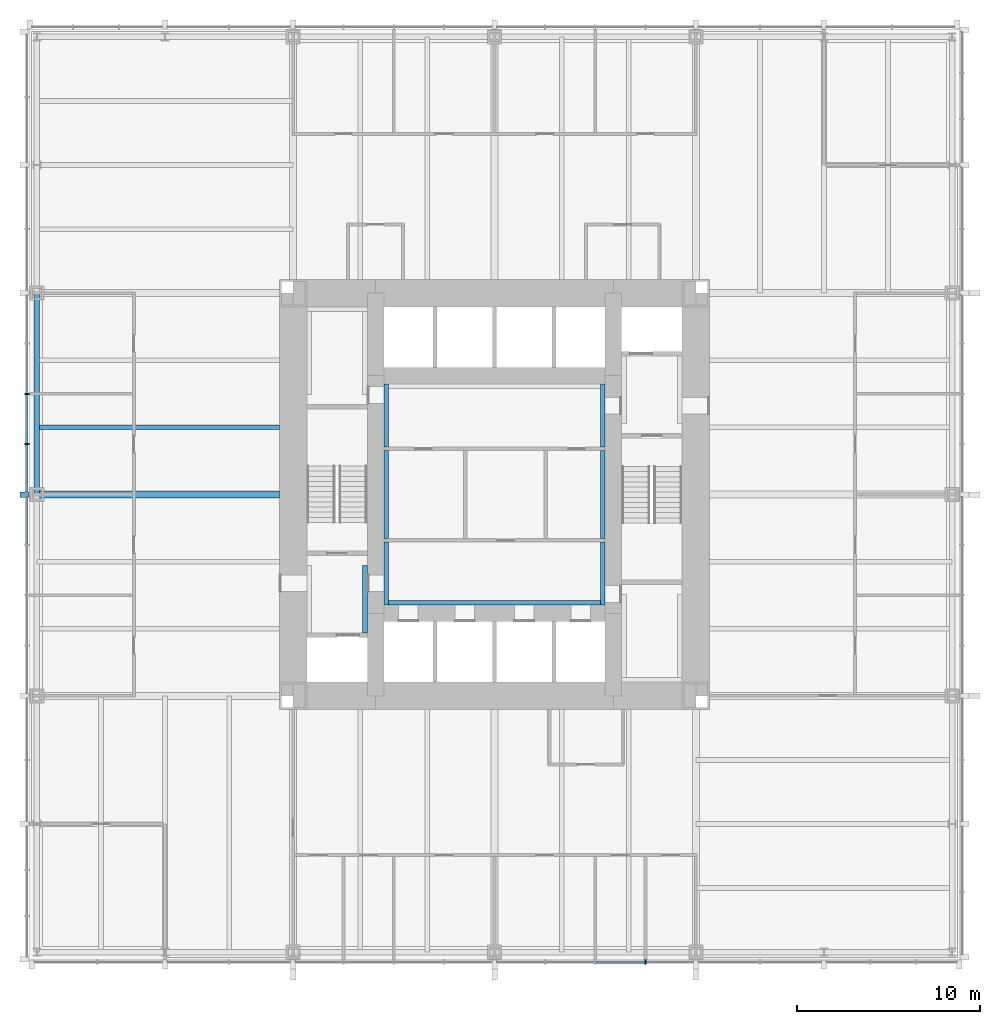
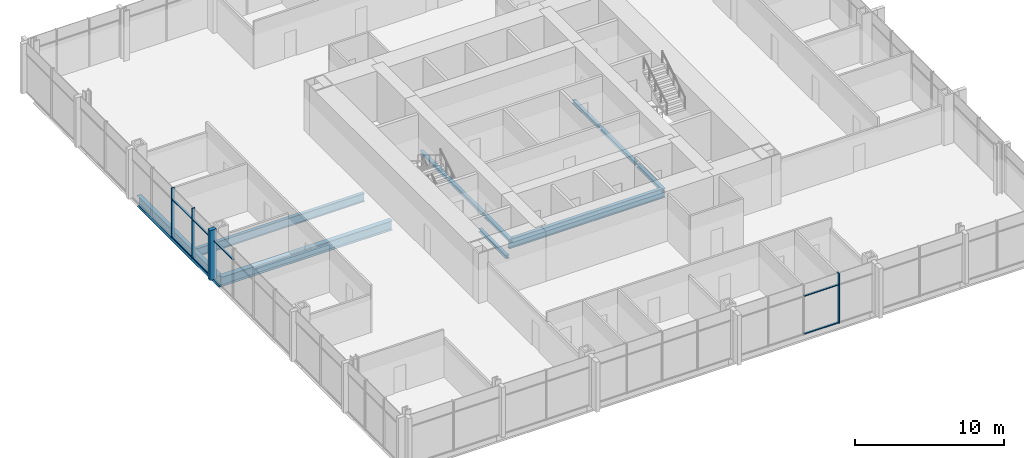
# One storey, part 3 of 12: 11 beams, 11 members, 2 elements without a shape of their own.
"""IFC4 building model written with IfcOpenShell, lengths in metres."""

from ifc_helpers import new_model, si_unit, direction, frame, origin, origin_2d, place, context, subcontext, project, spatial, rectangle, i_section, extrude, material, material_profile, profile_set, type_object, element, aggregate, save


model = new_model("IFC4")

# Units and contexts
model_context = context("Model", 3, precision=1e-05, world=origin(), true_north=direction((0.0, 1.0)))
body_context = subcontext(model_context, "Body", "Model", "MODEL_VIEW")
ifc_project = project(units=[si_unit("LENGTHUNIT", "METRE"), si_unit("AREAUNIT", "SQUARE_METRE"), si_unit("VOLUMEUNIT", "CUBIC_METRE"), si_unit("PLANEANGLEUNIT", "RADIAN"), si_unit("MASSUNIT", "GRAM", prefix="KILO")], contexts=[model_context])

# Site, building, storey
site_placement = place(None, origin())
site = spatial("IfcSite", under=ifc_project, at=site_placement, CompositionType="ELEMENT")
building_placement = place(site_placement, origin())
building = spatial("IfcBuilding", under=site, at=building_placement, Name="Trevanion Tower", CompositionType="ELEMENT")
storey_placement = place(building_placement, frame((0.0, 0.0, 69.300048828125)))
storey = spatial("IfcBuildingStorey", under=building, at=storey_placement, Name="L16", CompositionType="ELEMENT", Elevation=69.300048828125)

# Beam
ifc_material_1 = material(Name="Steel ASTM A992 Grade 50", Category="steel")
ifc_material_profile_1 = material_profile(ifc_material_1, i_section(OverallWidth=0.25390625, OverallDepth=0.700927734375, WebThickness=0.015380859375, FlangeThickness=0.02783203125, at=origin_2d()), Name="W27X129")
ifc_profile_set_1 = profile_set([ifc_material_profile_1], Name="Steel ASTM A992 Grade 50")
beam_type_1 = type_object("IfcBeamType", Name="B3 W27X129", PredefinedType="BEAM", material=ifc_profile_set_1)
beam_1_placement = place(storey_placement, frame((-11.75, 3.666748046875, -0.54052734375), z_axis=(-1.0, 0.0, 0.0), x_axis=(0.0, -1.0, 0.0)))
element("IfcBeam", 1, at=beam_1_placement, inside=storey, type_object=beam_type_1, Name="B3 L16", PredefinedType="BEAM", context=body_context, shape_type="SweptSolid", body=[
    extrude(i_section(OverallWidth=0.25390625, OverallDepth=0.700927734375, WebThickness=0.015380859375, FlangeThickness=0.02783203125, at=origin_2d()), origin(), (0.0, 0.0, 1.0), 13.25),
])

# Curtain wall, members
ifc_material_2 = material(Name="Aluminium and glass", Category="aluminium")
curtain_wall_type = type_object("IfcCurtainWallType", Name="CW1 curtain wall", PredefinedType="USERDEFINED", material=ifc_material_2)
curtain_wall_1_placement = place(storey_placement, origin())
curtain_wall_1 = element("IfcCurtainWall", 2, at=curtain_wall_1_placement, inside=storey, type_object=curtain_wall_type, Name="CW1 L16 2", ObjectType="UNITISED CURTAIN WALL", PredefinedType="USERDEFINED")
ifc_material_3 = material(Name="Aluminium extrusion, anodised bronze", Category="aluminium")
ifc_material_profile_2 = material_profile(ifc_material_3, rectangle(XDim=0.074951171875, YDim=0.25, at=origin_2d()), Name="CW1 mullion")
ifc_profile_set_2 = profile_set([ifc_material_profile_2], Name="Aluminium extrusion, anodised bronze")
member_type_1 = type_object("IfcMemberType", Name="CW1 mullion", PredefinedType="MULLION", material=ifc_profile_set_2)
member_1_placement = place(storey_placement, frame((-25.550048828125, 5.5, -0.18994140625), z_axis=(0.0, 0.0, 1.0), x_axis=(0.0, -1.0, 0.0)))
member_1 = element("IfcMember", 3, at=member_1_placement, type_object=member_type_1, Name="CW1 mullion 7", PredefinedType="MULLION", context=body_context, shape_type="SweptSolid", body=[
    extrude(rectangle(XDim=0.074951171875, YDim=0.25, at=origin_2d()), origin(), (0.0, 0.0, 1.0), 4.099853515625),
])
member_2_placement = place(storey_placement, frame((-25.550048828125, 2.75, -0.18994140625), z_axis=(0.0, 0.0, 1.0), x_axis=(0.0, -1.0, 0.0)))
member_2 = element("IfcMember", 4, at=member_2_placement, type_object=member_type_1, Name="CW1 mullion 8", PredefinedType="MULLION", context=body_context, shape_type="SweptSolid", body=[
    extrude(rectangle(XDim=0.074951171875, YDim=0.25, at=origin_2d()), origin(), (0.0, 0.0, 1.0), 4.099853515625),
])

# Curtain wall, member
curtain_wall_2_placement = place(storey_placement, origin())
curtain_wall_2 = element("IfcCurtainWall", 5, at=curtain_wall_2_placement, inside=storey, type_object=curtain_wall_type, Name="CW1 L16 3", ObjectType="UNITISED CURTAIN WALL", PredefinedType="USERDEFINED")
member_3_placement = place(storey_placement, frame((8.25, -25.550048828125, -0.18994140625), z_axis=(0.0, 0.0, 1.0), x_axis=(1.0, 0.0, 0.0)))
member_3 = element("IfcMember", 6, at=member_3_placement, type_object=member_type_1, Name="CW1 mullion 12", PredefinedType="MULLION", context=body_context, shape_type="SweptSolid", body=[
    extrude(rectangle(XDim=0.074951171875, YDim=0.25, at=origin_2d()), origin(), (0.0, 0.0, 1.0), 4.099853515625),
])

# Member
ifc_material_4 = material(Name="Aluminium extrusion, anodised bronze", Category="aluminium")
ifc_material_profile_3 = material_profile(ifc_material_4, rectangle(XDim=0.300048828125, YDim=0.5, at=origin_2d()), Name="CW1 pier mullion")
ifc_profile_set_3 = profile_set([ifc_material_profile_3], Name="Aluminium extrusion, anodised bronze")
member_type_2 = type_object("IfcMemberType", Name="CW1 pier mullion", PredefinedType="MULLION", material=ifc_profile_set_3)
member_4_placement = place(storey_placement, frame((-25.675048828125, 0.0, -0.18994140625), z_axis=(0.0, 0.0, 1.0), x_axis=(0.0, -1.0, 0.0)))
member_4 = element("IfcMember", 7, at=member_4_placement, type_object=member_type_2, Name="CW1 pier mullion 9", PredefinedType="MULLION", context=body_context, shape_type="SweptSolid", body=[
    extrude(rectangle(XDim=0.300048828125, YDim=0.5, at=origin_2d()), origin(), (0.0, 0.0, 1.0), 4.099853515625),
])

ifc_material_5 = material(Name="Aluminium extrusion, anodised bronze", Category="aluminium")
ifc_material_profile_4 = material_profile(ifc_material_5, rectangle(XDim=0.14990234375, YDim=0.074951171875, at=origin_2d()), Name="CW1 transom")
ifc_profile_set_4 = profile_set([ifc_material_profile_4], Name="Aluminium extrusion, anodised bronze")
member_type_3 = type_object("IfcMemberType", Name="CW1 transom", PredefinedType="USERDEFINED", material=ifc_profile_set_4)
member_5_placement = place(storey_placement, frame((-25.550048828125, 5.46240234375, -0.152587890625), z_axis=(0.0, -1.0, 0.0), x_axis=(1.0, 0.0, 0.0)))
member_5 = element("IfcMember", 8, at=member_5_placement, type_object=member_type_3, Name="CW1 transom 7.1", ObjectType="TRANSOM", PredefinedType="USERDEFINED", context=body_context, shape_type="SweptSolid", body=[
    extrude(rectangle(XDim=0.14990234375, YDim=0.074951171875, at=origin_2d()), origin(), (0.0, 0.0, 1.0), 2.6748046875),
])

member_6_placement = place(storey_placement, frame((-25.550048828125, 5.46240234375, 2.9599609375), z_axis=(0.0, -1.0, 0.0), x_axis=(1.0, 0.0, 0.0)))
member_6 = element("IfcMember", 9, at=member_6_placement, type_object=member_type_3, Name="CW1 transom 7.2", ObjectType="TRANSOM", PredefinedType="USERDEFINED", context=body_context, shape_type="SweptSolid", body=[
    extrude(rectangle(XDim=0.14990234375, YDim=0.074951171875, at=origin_2d()), origin(), (0.0, 0.0, 1.0), 2.6748046875),
])

member_7_placement = place(storey_placement, frame((-25.550048828125, 2.71240234375, -0.152587890625), z_axis=(0.0, -1.0, 0.0), x_axis=(1.0, 0.0, 0.0)))
member_7 = element("IfcMember", 10, at=member_7_placement, type_object=member_type_3, Name="CW1 transom 8.1", ObjectType="TRANSOM", PredefinedType="USERDEFINED", context=body_context, shape_type="SweptSolid", body=[
    extrude(rectangle(XDim=0.14990234375, YDim=0.074951171875, at=origin_2d()), origin(), (0.0, 0.0, 1.0), 2.5625),
])

member_8_placement = place(storey_placement, frame((-25.550048828125, 2.71240234375, 2.9599609375), z_axis=(0.0, -1.0, 0.0), x_axis=(1.0, 0.0, 0.0)))
member_8 = element("IfcMember", 11, at=member_8_placement, type_object=member_type_3, Name="CW1 transom 8.2", ObjectType="TRANSOM", PredefinedType="USERDEFINED", context=body_context, shape_type="SweptSolid", body=[
    extrude(rectangle(XDim=0.14990234375, YDim=0.074951171875, at=origin_2d()), origin(), (0.0, 0.0, 1.0), 2.5625),
])

member_9_placement = place(storey_placement, frame((-25.550048828125, -0.14990234375, 2.9599609375), z_axis=(0.0, -1.0, 0.0), x_axis=(1.0, 0.0, 0.0)))
member_9 = element("IfcMember", 12, at=member_9_placement, type_object=member_type_3, Name="CW1 transom 9.2", ObjectType="TRANSOM", PredefinedType="USERDEFINED", context=body_context, shape_type="SweptSolid", body=[
    extrude(rectangle(XDim=0.14990234375, YDim=0.074951171875, at=origin_2d()), origin(), (0.0, 0.0, 1.0), 2.5625),
])

aggregate(curtain_wall_1, [member_1, member_2, member_4, member_5, member_6, member_7, member_8, member_9])

member_10_placement = place(storey_placement, frame((5.53759765625, -25.550048828125, -0.152587890625), z_axis=(1.0, 0.0, 0.0), x_axis=(0.0, 1.0, 0.0)))
member_10 = element("IfcMember", 13, at=member_10_placement, type_object=member_type_3, Name="CW1 transom 11.1", ObjectType="TRANSOM", PredefinedType="USERDEFINED", context=body_context, shape_type="SweptSolid", body=[
    extrude(rectangle(XDim=0.14990234375, YDim=0.074951171875, at=origin_2d()), origin(), (0.0, 0.0, 1.0), 2.6748046875),
])

member_11_placement = place(storey_placement, frame((5.53759765625, -25.550048828125, 2.9599609375), z_axis=(1.0, 0.0, 0.0), x_axis=(0.0, 1.0, 0.0)))
member_11 = element("IfcMember", 14, at=member_11_placement, type_object=member_type_3, Name="CW1 transom 11.2", ObjectType="TRANSOM", PredefinedType="USERDEFINED", context=body_context, shape_type="SweptSolid", body=[
    extrude(rectangle(XDim=0.14990234375, YDim=0.074951171875, at=origin_2d()), origin(), (0.0, 0.0, 1.0), 2.6748046875),
])

aggregate(curtain_wall_2, [member_3, member_10, member_11])

# Beams
ifc_material_6 = material(Name="Steel ASTM A992 Grade 50", Category="steel")
ifc_material_profile_5 = material_profile(ifc_material_6, i_section(OverallWidth=0.381103515625, OverallDepth=0.77978515625, WebThickness=0.01806640625, FlangeThickness=0.0302734375, at=origin_2d()), Name="W30X191")
ifc_profile_set_5 = profile_set([ifc_material_profile_5], Name="Steel ASTM A992 Grade 50")
beam_type_2 = type_object("IfcBeamType", Name="G2 W30X191", PredefinedType="BEAM", material=ifc_profile_set_5)
beam_2_placement = place(storey_placement, frame((-11.75, 0.0, -0.579833984375), z_axis=(-1.0, 0.0, 0.0), x_axis=(0.0, -1.0, 0.0)))
element("IfcBeam", 15, at=beam_2_placement, inside=storey, type_object=beam_type_2, Name="G2 L16", PredefinedType="BEAM", context=body_context, shape_type="SweptSolid", body=[
    extrude(i_section(OverallWidth=0.381103515625, OverallDepth=0.77978515625, WebThickness=0.01806640625, FlangeThickness=0.0302734375, at=origin_2d()), origin(), (0.0, 0.0, 1.0), 13.25),
])
ifc_material_7 = material(Name="Steel ASTM A992 Grade 50", Category="steel")
ifc_material_profile_6 = material_profile(ifc_material_7, i_section(OverallWidth=0.256591796875, OverallDepth=0.26416015625, WebThickness=0.011962890625, FlangeThickness=0.01953125, at=origin_2d()), Name="W10X68")
ifc_profile_set_6 = profile_set([ifc_material_profile_6], Name="Steel ASTM A992 Grade 50")
beam_type_3 = type_object("IfcBeamType", Name="LB1 W10X68", PredefinedType="BEAM", material=ifc_profile_set_6)
for number, where, z_axis, x_axis, name in (
    (16, (-5.921630859375, 2.60009765625, -0.33203125), (0.0, 1.0, 0.0), (-1.0, 0.0, 0.0), "LB1 L16"),
    (17, (5.921630859375, 2.60009765625, -0.33203125), (0.0, 1.0, 0.0), (-1.0, 0.0, 0.0), "LB1 L16"),
    (18, (-5.921630859375, -6.050048828125, -0.33203125), (0.0, 1.0, 0.0), (-1.0, 0.0, 0.0), "LB1 L16"),
    (19, (5.921630859375, -6.050048828125, -0.33203125), (0.0, 1.0, 0.0), (-1.0, 0.0, 0.0), "LB1 L16"),
):
    element("IfcBeam", number, at=place(storey_placement, frame(where, z_axis=z_axis, x_axis=x_axis)), inside=storey, type_object=beam_type_3, Name=name, PredefinedType="BEAM", context=body_context, shape_type="SweptSolid", body=[
        extrude(i_section(OverallWidth=0.256591796875, OverallDepth=0.26416015625, WebThickness=0.011962890625, FlangeThickness=0.01953125, at=origin_2d()), origin(), (0.0, 0.0, 1.0), 3.449951171875),
    ])
beam_3_placement = place(storey_placement, frame((-7.078369140625, -7.574951171875, -0.33203125), z_axis=(0.0, 1.0, 0.0), x_axis=(-1.0, 0.0, 0.0)))
element("IfcBeam", 20, at=beam_3_placement, inside=storey, type_object=beam_type_3, Name="LB1 L16", PredefinedType="BEAM", context=body_context, shape_type="SweptSolid", body=[
    extrude(i_section(OverallWidth=0.256591796875, OverallDepth=0.26416015625, WebThickness=0.011962890625, FlangeThickness=0.01953125, at=origin_2d()), origin(), (0.0, 0.0, 1.0), 3.699951171875),
])
for number, where, z_axis, x_axis, name in (
    (21, (-5.921630859375, -2.39990234375, -0.33203125), (0.0, 1.0, 0.0), (-1.0, 0.0, 0.0), "LB1 L16"),
    (22, (5.921630859375, -2.39990234375, -0.33203125), (0.0, 1.0, 0.0), (-1.0, 0.0, 0.0), "LB1 L16"),
):
    element("IfcBeam", number, at=place(storey_placement, frame(where, z_axis=z_axis, x_axis=x_axis)), inside=storey, type_object=beam_type_3, Name=name, PredefinedType="BEAM", context=body_context, shape_type="SweptSolid", body=[
        extrude(i_section(OverallWidth=0.256591796875, OverallDepth=0.26416015625, WebThickness=0.011962890625, FlangeThickness=0.01953125, at=origin_2d()), origin(), (0.0, 0.0, 1.0), 4.7998046875),
    ])
ifc_material_8 = material(Name="Steel ASTM A992 Grade 50", Category="steel")
ifc_material_profile_7 = material_profile(ifc_material_8, i_section(OverallWidth=0.2666015625, OverallDepth=0.76953125, WebThickness=0.015625, FlangeThickness=0.025390625, at=origin_2d()), Name="W30X132")
ifc_profile_set_7 = profile_set([ifc_material_profile_7], Name="Steel ASTM A992 Grade 50")
beam_type_4 = type_object("IfcBeamType", Name="LB3 W30X132", PredefinedType="BEAM", material=ifc_profile_set_7)
beam_4_placement = place(storey_placement, frame((-6.050048828125, -5.91650390625, -0.5849609375), z_axis=(1.0, 0.0, 0.0), x_axis=(0.0, 1.0, 0.0)))
element("IfcBeam", 23, at=beam_4_placement, inside=storey, type_object=beam_type_4, Name="LB3 L16", PredefinedType="BEAM", context=body_context, shape_type="SweptSolid", body=[
    extrude(i_section(OverallWidth=0.2666015625, OverallDepth=0.76953125, WebThickness=0.015625, FlangeThickness=0.025390625, at=origin_2d()), origin(), (0.0, 0.0, 1.0), 12.10009765625),
])
ifc_material_9 = material(Name="Steel ASTM A992 Grade 50", Category="steel")
ifc_material_profile_8 = material_profile(ifc_material_9, i_section(OverallWidth=0.307373046875, OverallDepth=0.927001953125, WebThickness=0.01953125, FlangeThickness=0.031982421875, at=origin_2d()), Name="W36X194")
ifc_profile_set_8 = profile_set([ifc_material_profile_8], Name="Steel ASTM A992 Grade 50")
beam_type_5 = type_object("IfcBeamType", Name="SB2 W36X194", PredefinedType="SPANDREL", material=ifc_profile_set_8)
beam_5_placement = place(storey_placement, frame((-25.0, 11.0, -0.653564453125), z_axis=(0.0, -1.0, 0.0), x_axis=(1.0, 0.0, 0.0)))
element("IfcBeam", 24, at=beam_5_placement, inside=storey, type_object=beam_type_5, Name="SB2 L16", PredefinedType="SPANDREL", context=body_context, shape_type="SweptSolid", body=[
    extrude(i_section(OverallWidth=0.307373046875, OverallDepth=0.927001953125, WebThickness=0.01953125, FlangeThickness=0.031982421875, at=origin_2d()), origin(), (0.0, 0.0, 1.0), 11.0),
])

save(model, "model.ifc")
